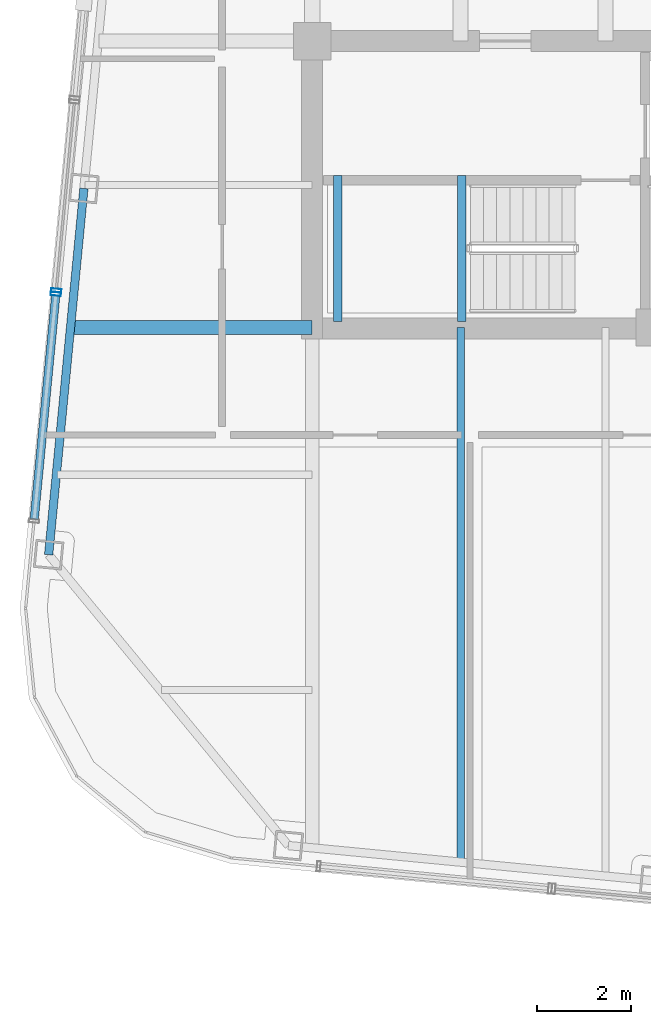
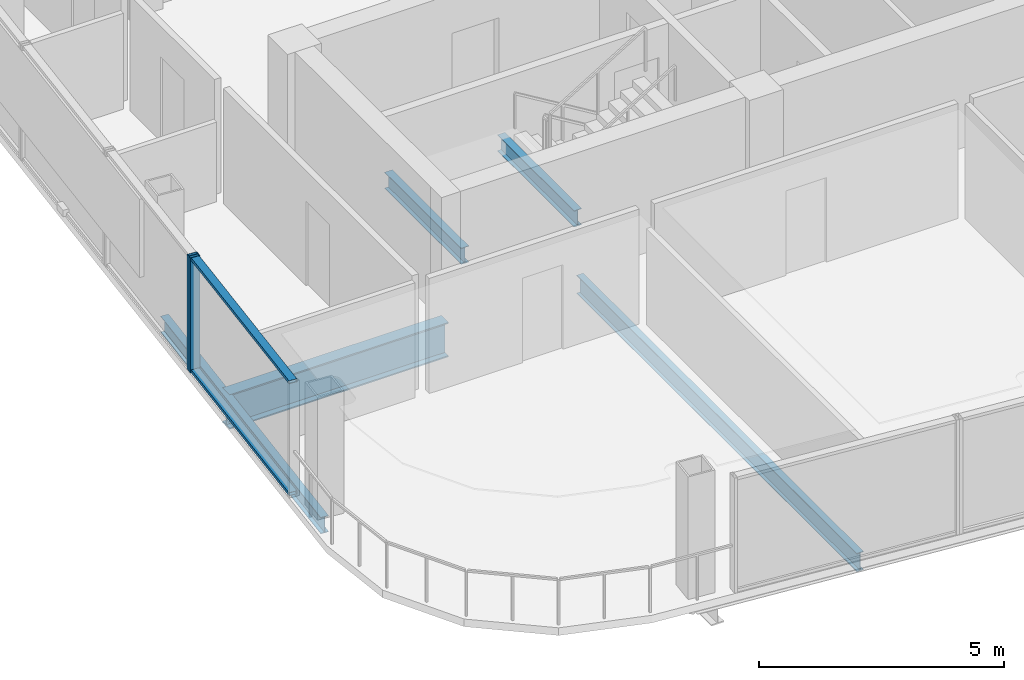
# One storey, part 3 of 23: 5 beams, 4 members, 2 elements without a shape of their own.
"""IFC4 building model written with IfcOpenShell, lengths in metres."""

from ifc_helpers import new_model, si_unit, direction, frame, origin, origin_2d, place, context, subcontext, project, spatial, hollow_rectangle, i_section, extrude, material, layer, layer_set, material_profile, profile_set, type_object, element, aggregate, save


model = new_model("IFC4")

# Units and contexts
model_context = context("Model", 3, precision=1e-05, world=origin(), true_north=direction((0.0, 1.0)))
body_context = subcontext(model_context, "Body", "Model", "MODEL_VIEW")
ifc_project = project(units=[si_unit("LENGTHUNIT", "METRE"), si_unit("AREAUNIT", "SQUARE_METRE"), si_unit("VOLUMEUNIT", "CUBIC_METRE"), si_unit("PLANEANGLEUNIT", "RADIAN"), si_unit("MASSUNIT", "GRAM", prefix="KILO")], contexts=[model_context])

# Site, building, storey
site_placement = place(None, origin())
site = spatial("IfcSite", under=ifc_project, at=site_placement, CompositionType="ELEMENT")
building_placement = place(site_placement, origin())
building = spatial("IfcBuilding", under=site, at=building_placement, Name="Qhalaya Broadcast Tower", CompositionType="ELEMENT")
storey_placement = place(building_placement, frame((0.0, 0.0, 264.199951171875)))
storey = spatial("IfcBuildingStorey", under=building, at=storey_placement, Name="L78", CompositionType="ELEMENT", Elevation=264.199951171875)

# Beam
ifc_material_1 = material(Name="Structural Steel ASTM A992 Grade 50", Category="steel")
ifc_material_profile_1 = material_profile(ifc_material_1, i_section(OverallWidth=0.154052734375, OverallDepth=0.458984375, WebThickness=0.009033203125, FlangeThickness=0.015380859375, at=origin_2d()), Name="W18X46")
ifc_profile_set_1 = profile_set([ifc_material_profile_1], Name="Structural Steel ASTM A992 Grade 50")
beam_type_1 = type_object("IfcBeamType", Name="Composite Floor Joist J04", PredefinedType="JOIST", material=ifc_profile_set_1)
beam_1_placement = place(storey_placement, frame((-6.199951171875, -20.1630859375, -0.41943359375), z_axis=(0.0, 1.0, 0.0), x_axis=(-1.0, 0.0, 0.0)))
element("IfcBeam", 1, at=beam_1_placement, inside=storey, type_object=beam_type_1, Name="L78 J04 L78-JNS1-1", PredefinedType="JOIST", context=body_context, shape_type="SweptSolid", body=[
    extrude(i_section(OverallWidth=0.154052734375, OverallDepth=0.458984375, WebThickness=0.009033203125, FlangeThickness=0.015380859375, at=origin_2d()), origin(), (0.0, 0.0, 1.0), 11.4130859375),
])

# Curtain wall, member
ifc_material_2 = material(Name="Solar-Control Low-E Triple Glazing", Category="glass")
ifc_layer_1 = layer(ifc_material_2, 0.219970703125, Name="Solar-Control Low-E Triple Glazing")
ifc_layer_set_1 = layer_set([ifc_layer_1], Name="Solar-Control Low-E Triple Glazing")
curtain_wall_type_1 = type_object("IfcCurtainWallType", Name="High-Altitude Upper-Shaft Triple Low-E Curtain Wall CW-04", PredefinedType="NOTDEFINED", material=ifc_layer_set_1)
curtain_wall_1_placement = place(storey_placement, origin())
curtain_wall_1 = element("IfcCurtainWall", 2, at=curtain_wall_1_placement, inside=storey, type_object=curtain_wall_type_1, Name="L78 Unitised Curtain Wall L78-CW-W4", PredefinedType="NOTDEFINED")
ifc_material_3 = material(Name="Anodised Aluminium 6063-T6", Category="aluminium")
ifc_material_profile_2 = material_profile(ifc_material_3, hollow_rectangle(XDim=0.074951171875, YDim=0.219970703125, WallThickness=0.00390625, at=origin_2d()), Name="ALU-MUL 75x220x4")
ifc_profile_set_2 = profile_set([ifc_material_profile_2], Name="Anodised Aluminium 6063-T6")
member_type_1 = type_object("IfcMemberType", Name="Unitised Curtain-Wall Mullion M01", PredefinedType="MULLION", material=ifc_profile_set_2)
member_1_placement = place(storey_placement, frame((-14.84814453125, -7.958251953125, 0.0), z_axis=(0.0, 0.0, 1.0), x_axis=(-0.095859120729, -0.995394911064, 0.0)))
member_1 = element("IfcMember", 3, at=member_1_placement, type_object=member_type_1, Name="CW-04 mullion 2", PredefinedType="MULLION", context=body_context, shape_type="SweptSolid", body=[
    extrude(hollow_rectangle(XDim=0.074951171875, YDim=0.219970703125, WallThickness=0.00390625, at=origin_2d()), origin(), (0.0, 0.0, 1.0), 2.860107421875),
])
aggregate(curtain_wall_1, [member_1])

# Curtain wall, members
ifc_material_4 = material(Name="Fired Architectural Terracotta", Category="masonry")
ifc_layer_2 = layer(ifc_material_4, 0.219970703125, Name="Fired Architectural Terracotta")
ifc_layer_set_2 = layer_set([ifc_layer_2], Name="Fired Architectural Terracotta")
curtain_wall_type_2 = type_object("IfcCurtainWallType", Name="Block-Cap Unitised Terracotta Spandrel Wall CW-07", PredefinedType="NOTDEFINED", material=ifc_layer_set_2)
curtain_wall_2_placement = place(storey_placement, origin())
curtain_wall_2 = element("IfcCurtainWall", 4, at=curtain_wall_2_placement, inside=storey, type_object=curtain_wall_type_2, Name="L78 Unitised Curtain Wall L78-CW-W5", PredefinedType="NOTDEFINED")
member_2_placement = place(storey_placement, frame((-14.85546875, -8.032958984375, 0.0), z_axis=(0.0, 0.0, 1.0), x_axis=(-0.095840154905, -0.99539673734, 0.0)))
member_2 = element("IfcMember", 5, at=member_2_placement, type_object=member_type_1, Name="CW-07 mullion 1", PredefinedType="MULLION", context=body_context, shape_type="SweptSolid", body=[
    extrude(hollow_rectangle(XDim=0.074951171875, YDim=0.219970703125, WallThickness=0.00390625, at=origin_2d()), origin(), (0.0, 0.0, 1.0), 2.860107421875),
])
ifc_material_profile_3 = material_profile(ifc_material_3, hollow_rectangle(XDim=0.074951171875, YDim=0.179931640625, WallThickness=0.00390625, at=origin_2d()), Name="ALU-TRN 75x180x4")
ifc_profile_set_3 = profile_set([ifc_material_profile_3], Name="Anodised Aluminium 6063-T6")
member_type_2 = type_object("IfcMemberType", Name="Unitised Curtain-Wall Transom T01", PredefinedType="USERDEFINED", material=ifc_profile_set_3)
member_3_placement = place(storey_placement, frame((-14.85888671875, -8.0703125, 0.03759765625), z_axis=(-0.095833498035, -0.995397378264, 0.0), x_axis=(0.0, 0.0, 1.0)))
member_3 = element("IfcMember", 6, at=member_3_placement, type_object=member_type_2, Name="CW-07 transom 1.1", ObjectType="TRANSOM", PredefinedType="USERDEFINED", context=body_context, shape_type="SweptSolid", body=[
    extrude(hollow_rectangle(XDim=0.074951171875, YDim=0.179931640625, WallThickness=0.00390625, at=origin_2d()), origin(), (0.0, 0.0, 1.0), 4.80224609375),
])
member_4_placement = place(storey_placement, frame((-14.85888671875, -8.0703125, 2.822509765625), z_axis=(-0.095833498035, -0.995397378264, 0.0), x_axis=(0.0, 0.0, 1.0)))
member_4 = element("IfcMember", 7, at=member_4_placement, type_object=member_type_2, Name="CW-07 transom 1.2", ObjectType="TRANSOM", PredefinedType="USERDEFINED", context=body_context, shape_type="SweptSolid", body=[
    extrude(hollow_rectangle(XDim=0.074951171875, YDim=0.179931640625, WallThickness=0.00390625, at=origin_2d()), origin(), (0.0, 0.0, 1.0), 4.80224609375),
])
aggregate(curtain_wall_2, [member_2, member_3, member_4])

# Beams
ifc_material_profile_4 = material_profile(ifc_material_1, i_section(OverallWidth=0.2919921875, OverallDepth=0.85888671875, WebThickness=0.01708984375, FlangeThickness=0.031005859375, at=origin_2d()), Name="W33X169")
ifc_profile_set_4 = profile_set([ifc_material_profile_4], Name="Structural Steel ASTM A992 Grade 50")
beam_type_2 = type_object("IfcBeamType", Name="Upper Block Primary Girder PG4", PredefinedType="USERDEFINED", material=ifc_profile_set_4)
beam_2_placement = place(storey_placement, frame((-14.5224609375, -8.75, -0.619384765625), z_axis=(1.0, 0.0, 0.0), x_axis=(0.0, 1.0, 0.0)))
element("IfcBeam", 8, at=beam_2_placement, inside=storey, type_object=beam_type_2, Name="L78 PG4 L78-PGYW1-1", ObjectType="GIRDER", PredefinedType="USERDEFINED", context=body_context, shape_type="SweptSolid", body=[
    extrude(i_section(OverallWidth=0.2919921875, OverallDepth=0.85888671875, WebThickness=0.01708984375, FlangeThickness=0.031005859375, at=origin_2d()), origin(), (0.0, 0.0, 1.0), 5.1474609375),
])
ifc_material_profile_5 = material_profile(ifc_material_1, i_section(OverallWidth=0.177978515625, OverallDepth=0.406005859375, WebThickness=0.0078125, FlangeThickness=0.0126953125, at=origin_2d()), Name="W16X40")
ifc_profile_set_5 = profile_set([ifc_material_profile_5], Name="Structural Steel ASTM A992 Grade 50")
beam_type_3 = type_object("IfcBeamType", Name="Upper Perimeter Spandrel Beam SP2", PredefinedType="SPANDREL", material=ifc_profile_set_5)
beam_3_placement = place(storey_placement, frame((-14.25634765625, -5.77783203125, -0.39306640625), z_axis=(-0.095864972855, -0.995394347472, 0.0), x_axis=(0.995394347472, -0.095864972855, 0.0)))
element("IfcBeam", 9, at=beam_3_placement, inside=storey, type_object=beam_type_3, Name="L78 SP2 L78-SPR-15", PredefinedType="SPANDREL", context=body_context, shape_type="SweptSolid", body=[
    extrude(i_section(OverallWidth=0.177978515625, OverallDepth=0.406005859375, WebThickness=0.0078125, FlangeThickness=0.0126953125, at=origin_2d()), origin(), (0.0, 0.0, 1.0), 7.86669921875),
])
for number, where, z_axis, x_axis, name in (
    (10, (-8.830078125, -8.6201171875, 1.1220703125), (0.0, 1.0, 0.0), (-1.0, 0.0, 0.0), "L78 ST-2 Half-Landing Bearer Beam 1"),
    (11, (-6.175048828125, -8.6201171875, 1.1220703125), (0.0, 1.0, 0.0), (-1.0, 0.0, 0.0), "L78 ST-2 Half-Landing Bearer Beam 2"),
):
    element("IfcBeam", number, at=place(storey_placement, frame(where, z_axis=z_axis, x_axis=x_axis)), inside=storey, type_object=beam_type_3, Name=name, PredefinedType="SPANDREL", context=body_context, shape_type="SweptSolid", body=[
        extrude(i_section(OverallWidth=0.177978515625, OverallDepth=0.406005859375, WebThickness=0.0078125, FlangeThickness=0.0126953125, at=origin_2d()), origin(), (0.0, 0.0, 1.0), 3.1201171875),
    ])

save(model, "model.ifc")
